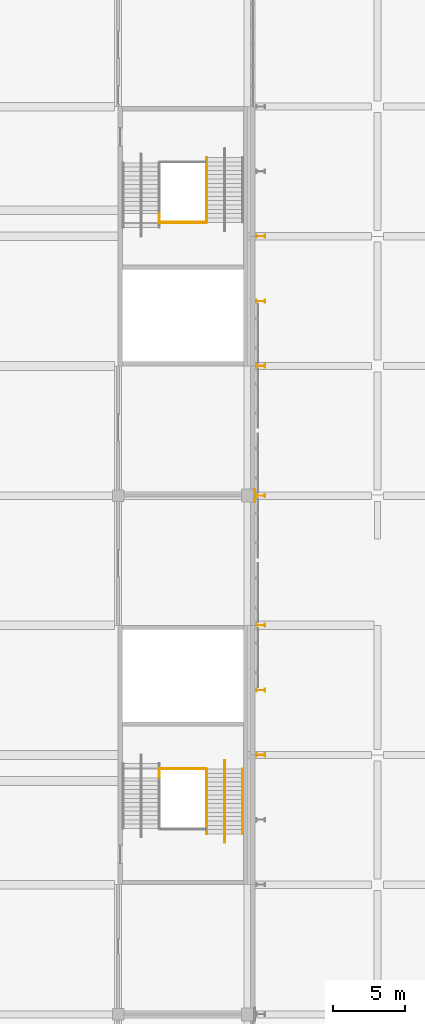
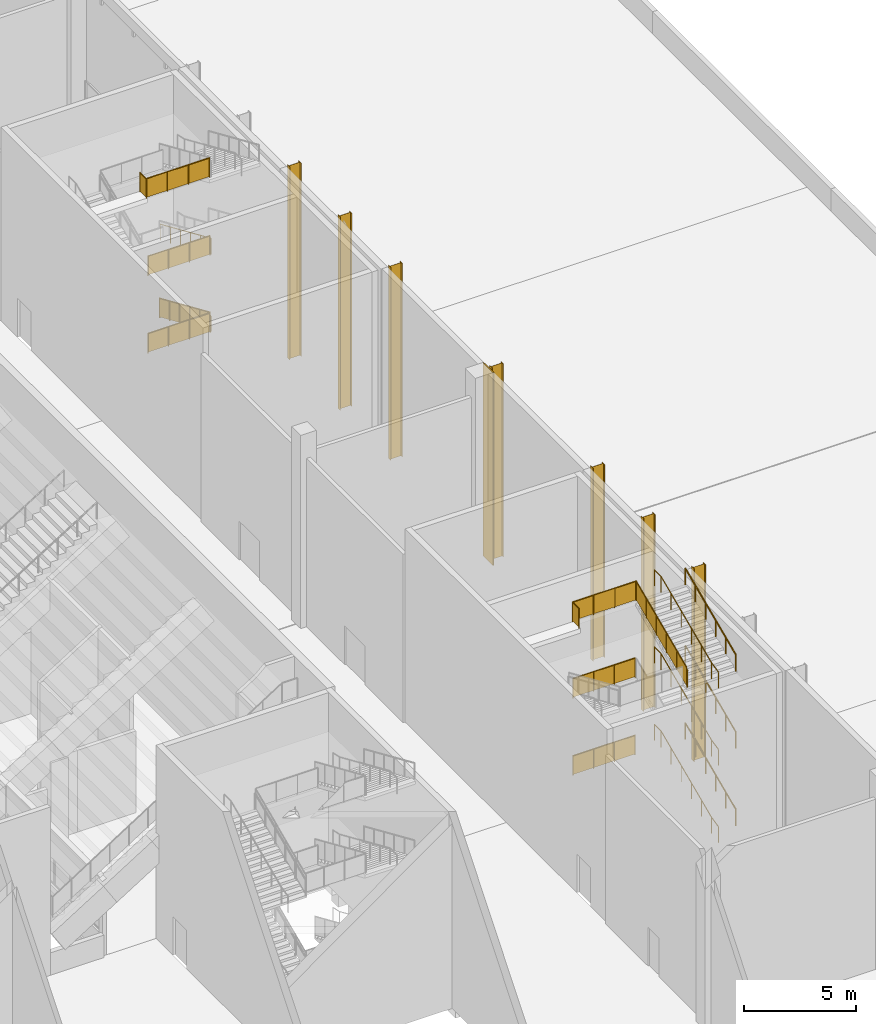
# One storey, part 167 of 182: 17 railings, 7 shading devices, 1 covering.
"""IFC4 building model written with IfcOpenShell, lengths in metres."""

from ifc_helpers import new_model, si_unit, direction, frame, origin, origin_2d, place, context, subcontext, project, spatial, polyline, circle, i_section, outline, extrude, material, layer, layer_set, material_profile, profile_set, type_object, element, save


model = new_model("IFC4")

# Units and contexts
model_context = context("Model", 3, precision=1e-05, world=origin(), true_north=direction((0.0, 1.0)))
body_context = subcontext(model_context, "Body", "Model", "MODEL_VIEW")
ifc_project = project(units=[si_unit("LENGTHUNIT", "METRE"), si_unit("AREAUNIT", "SQUARE_METRE"), si_unit("VOLUMEUNIT", "CUBIC_METRE"), si_unit("PLANEANGLEUNIT", "RADIAN"), si_unit("MASSUNIT", "GRAM", prefix="KILO")], contexts=[model_context])

# Site, building, storey
site_placement = place(None, origin())
site = spatial("IfcSite", under=ifc_project, at=site_placement, CompositionType="ELEMENT")
building_placement = place(site_placement, origin())
building = spatial("IfcBuilding", under=site, at=building_placement, Name="Silverbay Arena", CompositionType="ELEMENT")
storey_placement = place(building_placement, frame((0.0, 0.0, 11.5)))
storey = spatial("IfcBuildingStorey", under=building, at=storey_placement, Name="L02", CompositionType="ELEMENT", Elevation=11.5)

# Covering
ifc_material_1 = material(Name="Aluminium composite cladding", Category="aluminium")
ifc_layer = layer(ifc_material_1, 0.050048828125)
ifc_layer_set = layer_set([ifc_layer], Name="Aluminium composite cladding")
covering_type = type_object("IfcCoveringType", Name="Column cladding 50", PredefinedType="CLADDING", material=ifc_layer_set)
covering_placement = place(storey_placement, origin())
element("IfcCovering", 1, at=covering_placement, inside=storey, type_object=covering_type, Name="East column cladding L02 10", PredefinedType="CLADDING", context=body_context, shape_type="SweptSolid", body=[
    extrude(outline(polyline([(207.449951171875, 80.550048828125), (207.5, 80.550048828125), (207.5, 81.449951171875), (207.449951171875, 81.449951171875), (207.449951171875, 80.550048828125)])), origin(), (0.0, 0.0, 1.0), 10.5),
])

# Railings
ifc_material_2 = material(Name="Stainless steel", Category="steel")
railing_type_1 = type_object("IfcRailingType", Name="Stair guard 1100", PredefinedType="GUARDRAIL", material=ifc_material_2)
railing_1_placement = place(storey_placement, frame((204.125, 57.52587890625, 8.53125)))
element("IfcRailing", 2, at=railing_1_placement, inside=storey, type_object=railing_type_1, Name="Stair ST-E1 L02 to L03 flight 5 guard left", PredefinedType="GUARDRAIL", context=body_context, shape_type="SweptSolid", body=[
    extrude(circle(Radius=0.02392578125, at=origin_2d()), frame((0.0, 0.0, 1.076171875), z_axis=(0.0, 0.916157334902, 0.40081883402), x_axis=(-1.0, 0.0, 0.0)), (0.0, 0.0, 1.0), 4.911865234375),
    extrude(outline(polyline([(-0.008056640625, 0.04638671875), (0.907958984375, 0.447265625), (0.907958984375, 1.4501953125), (-0.008056640625, 1.049560546875), (-0.008056640625, 0.04638671875)])), frame((-0.0029296875, 0.0, 0.0), z_axis=(1.0, 0.0, 0.0), x_axis=(0.0, 1.0, 0.0)), (0.0, 0.0, 1.0), 0.006103515625),
    extrude(outline(polyline([(-0.008056640625, 0.440185546875), (0.907958984375, 0.841064453125), (0.907958984375, 1.843994140625), (-0.008056640625, 1.443359375), (-0.008056640625, 0.440185546875)])), frame((-0.0029296875, 0.89990234375, 0.0), z_axis=(1.0, 0.0, 0.0), x_axis=(0.0, 1.0, 0.0)), (0.0, 0.0, 1.0), 0.006103515625),
    extrude(outline(polyline([(-0.008056640625, 0.833984375), (0.907958984375, 1.23486328125), (0.907958984375, 2.23779296875), (-0.008056640625, 1.8369140625), (-0.008056640625, 0.833984375)])), frame((-0.0029296875, 1.800048828125, 0.0), z_axis=(1.0, 0.0, 0.0), x_axis=(0.0, 1.0, 0.0)), (0.0, 0.0, 1.0), 0.006103515625),
    extrude(outline(polyline([(-0.008056640625, 1.227783203125), (0.907958984375, 1.62841796875), (0.907958984375, 2.631591796875), (-0.008056640625, 2.230712890625), (-0.008056640625, 1.227783203125)])), frame((-0.0029296875, 2.699951171875, 0.0), z_axis=(1.0, 0.0, 0.0), x_axis=(0.0, 1.0, 0.0)), (0.0, 0.0, 1.0), 0.006103515625),
    extrude(outline(polyline([(-0.008056640625, 1.62158203125), (0.907958984375, 2.022216796875), (0.907958984375, 3.025146484375), (-0.008056640625, 2.62451171875), (-0.008056640625, 1.62158203125)])), frame((-0.0029296875, 3.60009765625, 0.0), z_axis=(1.0, 0.0, 0.0), x_axis=(0.0, 1.0, 0.0)), (0.0, 0.0, 1.0), 0.006103515625),
    extrude(circle(Radius=0.02099609375, at=origin_2d()), origin(), (0.0, 0.0, 1.0), 1.052001953125),
    extrude(circle(Radius=0.02099609375, at=origin_2d()), frame((0.0, 0.89990234375, 0.393798828125)), (0.0, 0.0, 1.0), 1.052001953125),
    extrude(circle(Radius=0.02099609375, at=origin_2d()), frame((0.0, 1.800048828125, 0.78759765625)), (0.0, 0.0, 1.0), 1.052001953125),
    extrude(circle(Radius=0.02099609375, at=origin_2d()), frame((0.0, 2.699951171875, 1.18115234375)), (0.0, 0.0, 1.0), 1.052001953125),
    extrude(circle(Radius=0.02099609375, at=origin_2d()), frame((0.0, 3.60009765625, 1.574951171875)), (0.0, 0.0, 1.0), 1.052001953125),
    extrude(circle(Radius=0.02099609375, at=origin_2d()), frame((0.0, 4.5, 1.96875)), (0.0, 0.0, 1.0), 1.052001953125),
])
for number, where, name in (
    (3, (200.89990234375, 62.07568359375, 2.10009765625), "Stair ST-E1 L02 to L03 landing 1 guard"),
    (4, (200.89990234375, 62.07568359375, 6.300048828125), "Stair ST-E1 L02 to L03 landing 3 guard"),
):
    element("IfcRailing", number, at=place(storey_placement, frame(where)), inside=storey, type_object=railing_type_1, Name=name, PredefinedType="GUARDRAIL", context=body_context, shape_type="SweptSolid", body=[
        extrude(circle(Radius=0.02392578125, at=origin_2d()), frame((0.0, 0.0, 1.076171875), z_axis=(1.0, 0.0, 0.0), x_axis=(0.0, 1.0, 0.0)), (0.0, 0.0, 1.0), 3.2001953125),
        extrude(outline(polyline([(-0.008056640625, 0.050048828125), (1.07470703125, 0.050048828125), (1.07470703125, 1.052978515625), (-0.008056640625, 1.052978515625), (-0.008056640625, 0.050048828125)])), frame((0.0, 0.0029296875, 0.0), z_axis=(0.0, -1.0, 0.0), x_axis=(1.0, 0.0, 0.0)), (0.0, 0.0, 1.0), 0.006103515625),
        extrude(outline(polyline([(-0.008056640625, 0.050048828125), (1.07470703125, 0.050048828125), (1.07470703125, 1.052978515625), (-0.008056640625, 1.052978515625), (-0.008056640625, 0.050048828125)])), frame((1.066650390625, 0.0029296875, 0.0), z_axis=(0.0, -1.0, 0.0), x_axis=(1.0, 0.0, 0.0)), (0.0, 0.0, 1.0), 0.006103515625),
        extrude(outline(polyline([(-0.008056640625, 0.050048828125), (1.07470703125, 0.050048828125), (1.07470703125, 1.052978515625), (-0.008056640625, 1.052978515625), (-0.008056640625, 0.050048828125)])), frame((2.133544921875, 0.0029296875, 0.0), z_axis=(0.0, -1.0, 0.0), x_axis=(1.0, 0.0, 0.0)), (0.0, 0.0, 1.0), 0.006103515625),
        extrude(circle(Radius=0.02099609375, at=origin_2d()), origin(), (0.0, 0.0, 1.0), 1.052001953125),
        extrude(circle(Radius=0.02099609375, at=origin_2d()), frame((1.066650390625, 0.0, 0.0)), (0.0, 0.0, 1.0), 1.052001953125),
        extrude(circle(Radius=0.02099609375, at=origin_2d()), frame((2.133544921875, 0.0, 0.0)), (0.0, 0.0, 1.0), 1.052001953125),
        extrude(circle(Radius=0.02099609375, at=origin_2d()), frame((3.2001953125, 0.0, 0.0)), (0.0, 0.0, 1.0), 1.052001953125),
    ])
railing_2_placement = place(storey_placement, frame((200.85009765625, 61.449951171875, 10.5)))
element("IfcRailing", 5, at=railing_2_placement, inside=storey, type_object=railing_type_1, Name="Stair ST-E1 L02 to L03 landing 5 guard", PredefinedType="GUARDRAIL", context=body_context, shape_type="SweptSolid", body=[
    extrude(circle(Radius=0.02392578125, at=origin_2d()), frame((0.0, 0.0, 1.076171875), z_axis=(0.0, 1.0, 0.0), x_axis=(-1.0, 0.0, 0.0)), (0.0, 0.0, 1.0), 0.575927734375),
    extrude(outline(polyline([(-0.008056640625, 0.050048828125), (0.583984375, 0.050048828125), (0.583984375, 1.052978515625), (-0.008056640625, 1.052978515625), (-0.008056640625, 0.050048828125)])), frame((-0.0029296875, 0.0, 0.0), z_axis=(1.0, 0.0, 0.0), x_axis=(0.0, 1.0, 0.0)), (0.0, 0.0, 1.0), 0.006103515625),
    extrude(circle(Radius=0.02392578125, at=origin_2d()), frame((0.0, 0.575927734375, 1.076171875), z_axis=(1.0, 0.0, 0.0), x_axis=(0.0, 1.0, 0.0)), (0.0, 0.0, 1.0), 3.25),
    extrude(outline(polyline([(-0.008056640625, 0.050048828125), (1.09130859375, 0.050048828125), (1.09130859375, 1.052978515625), (-0.008056640625, 1.052978515625), (-0.008056640625, 0.050048828125)])), frame((0.0, 0.578857421875, 0.0), z_axis=(0.0, -1.0, 0.0), x_axis=(1.0, 0.0, 0.0)), (0.0, 0.0, 1.0), 0.006103515625),
    extrude(outline(polyline([(-0.008056640625, 0.050048828125), (1.09130859375, 0.050048828125), (1.09130859375, 1.052978515625), (-0.008056640625, 1.052978515625), (-0.008056640625, 0.050048828125)])), frame((1.083251953125, 0.578857421875, 0.0), z_axis=(0.0, -1.0, 0.0), x_axis=(1.0, 0.0, 0.0)), (0.0, 0.0, 1.0), 0.006103515625),
    extrude(outline(polyline([(-0.008056640625, 0.050048828125), (1.09130859375, 0.050048828125), (1.09130859375, 1.052978515625), (-0.008056640625, 1.052978515625), (-0.008056640625, 0.050048828125)])), frame((2.166748046875, 0.578857421875, 0.0), z_axis=(0.0, -1.0, 0.0), x_axis=(1.0, 0.0, 0.0)), (0.0, 0.0, 1.0), 0.006103515625),
    extrude(circle(Radius=0.02099609375, at=origin_2d()), origin(), (0.0, 0.0, 1.0), 1.052001953125),
    extrude(circle(Radius=0.02099609375, at=origin_2d()), frame((0.0, 0.575927734375, 0.0)), (0.0, 0.0, 1.0), 1.052001953125),
    extrude(circle(Radius=0.02099609375, at=origin_2d()), frame((1.083251953125, 0.575927734375, 0.0)), (0.0, 0.0, 1.0), 1.052001953125),
    extrude(circle(Radius=0.02099609375, at=origin_2d()), frame((2.166748046875, 0.575927734375, 0.0)), (0.0, 0.0, 1.0), 1.052001953125),
    extrude(circle(Radius=0.02099609375, at=origin_2d()), frame((3.25, 0.575927734375, 0.0)), (0.0, 0.0, 1.0), 1.052001953125),
])
railing_3_placement = place(storey_placement, frame((204.125, 104.47412109375, 0.13134765625)))
element("IfcRailing", 6, at=railing_3_placement, inside=storey, type_object=railing_type_1, Name="Stair ST-E2 L02 to L03 flight 1 guard left", PredefinedType="GUARDRAIL", context=body_context, shape_type="SweptSolid", body=[
    extrude(circle(Radius=0.02392578125, at=origin_2d()), frame((0.0, 0.0, 1.076171875), z_axis=(0.0, -0.916157334902, 0.40081883402), x_axis=(1.0, 0.0, 0.0)), (0.0, 0.0, 1.0), 4.911865234375),
    extrude(outline(polyline([(-0.008056640625, 0.04638671875), (0.907958984375, 0.447265625), (0.907958984375, 1.4501953125), (-0.008056640625, 1.049560546875), (-0.008056640625, 0.04638671875)])), frame((0.0029296875, 0.0, 0.0), z_axis=(-1.0, 0.0, 0.0), x_axis=(0.0, -1.0, 0.0)), (0.0, 0.0, 1.0), 0.006103515625),
    extrude(outline(polyline([(-0.008056640625, 0.440185546875), (0.907958984375, 0.841064453125), (0.907958984375, 1.843994140625), (-0.008056640625, 1.443359375), (-0.008056640625, 0.440185546875)])), frame((0.0029296875, -0.89990234375, 0.0), z_axis=(-1.0, 0.0, 0.0), x_axis=(0.0, -1.0, 0.0)), (0.0, 0.0, 1.0), 0.006103515625),
    extrude(outline(polyline([(-0.008056640625, 0.833984375), (0.907958984375, 1.23486328125), (0.907958984375, 2.23779296875), (-0.008056640625, 1.8369140625), (-0.008056640625, 0.833984375)])), frame((0.0029296875, -1.800048828125, 0.0), z_axis=(-1.0, 0.0, 0.0), x_axis=(0.0, -1.0, 0.0)), (0.0, 0.0, 1.0), 0.006103515625),
    extrude(outline(polyline([(-0.008056640625, 1.227783203125), (0.907958984375, 1.62841796875), (0.907958984375, 2.631591796875), (-0.008056640625, 2.230712890625), (-0.008056640625, 1.227783203125)])), frame((0.0029296875, -2.699951171875, 0.0), z_axis=(-1.0, 0.0, 0.0), x_axis=(0.0, -1.0, 0.0)), (0.0, 0.0, 1.0), 0.006103515625),
    extrude(outline(polyline([(-0.008056640625, 1.62158203125), (0.907958984375, 2.022216796875), (0.907958984375, 3.025146484375), (-0.008056640625, 2.62451171875), (-0.008056640625, 1.62158203125)])), frame((0.0029296875, -3.60009765625, 0.0), z_axis=(-1.0, 0.0, 0.0), x_axis=(0.0, -1.0, 0.0)), (0.0, 0.0, 1.0), 0.006103515625),
    extrude(circle(Radius=0.02099609375, at=origin_2d()), origin(), (0.0, 0.0, 1.0), 1.052001953125),
    extrude(circle(Radius=0.02099609375, at=origin_2d()), frame((0.0, -0.89990234375, 0.393798828125)), (0.0, 0.0, 1.0), 1.052001953125),
    extrude(circle(Radius=0.02099609375, at=origin_2d()), frame((0.0, -1.800048828125, 0.78759765625)), (0.0, 0.0, 1.0), 1.052001953125),
    extrude(circle(Radius=0.02099609375, at=origin_2d()), frame((0.0, -2.699951171875, 1.18115234375)), (0.0, 0.0, 1.0), 1.052001953125),
    extrude(circle(Radius=0.02099609375, at=origin_2d()), frame((0.0, -3.60009765625, 1.574951171875)), (0.0, 0.0, 1.0), 1.052001953125),
    extrude(circle(Radius=0.02099609375, at=origin_2d()), frame((0.0, -4.5, 1.96875)), (0.0, 0.0, 1.0), 1.052001953125),
])
for number, where, name in (
    (7, (200.89990234375, 99.92431640625, 2.10009765625), "Stair ST-E2 L02 to L03 landing 1 guard"),
    (8, (200.89990234375, 99.92431640625, 6.300048828125), "Stair ST-E2 L02 to L03 landing 3 guard"),
):
    element("IfcRailing", number, at=place(storey_placement, frame(where)), inside=storey, type_object=railing_type_1, Name=name, PredefinedType="GUARDRAIL", context=body_context, shape_type="SweptSolid", body=[
        extrude(circle(Radius=0.02392578125, at=origin_2d()), frame((0.0, 0.0, 1.076171875), z_axis=(1.0, 0.0, 0.0), x_axis=(0.0, 1.0, 0.0)), (0.0, 0.0, 1.0), 3.2001953125),
        extrude(outline(polyline([(-0.008056640625, 0.050048828125), (1.07470703125, 0.050048828125), (1.07470703125, 1.052978515625), (-0.008056640625, 1.052978515625), (-0.008056640625, 0.050048828125)])), frame((0.0, 0.0029296875, 0.0), z_axis=(0.0, -1.0, 0.0), x_axis=(1.0, 0.0, 0.0)), (0.0, 0.0, 1.0), 0.006103515625),
        extrude(outline(polyline([(-0.008056640625, 0.050048828125), (1.07470703125, 0.050048828125), (1.07470703125, 1.052978515625), (-0.008056640625, 1.052978515625), (-0.008056640625, 0.050048828125)])), frame((1.066650390625, 0.0029296875, 0.0), z_axis=(0.0, -1.0, 0.0), x_axis=(1.0, 0.0, 0.0)), (0.0, 0.0, 1.0), 0.006103515625),
        extrude(outline(polyline([(-0.008056640625, 0.050048828125), (1.07470703125, 0.050048828125), (1.07470703125, 1.052978515625), (-0.008056640625, 1.052978515625), (-0.008056640625, 0.050048828125)])), frame((2.133544921875, 0.0029296875, 0.0), z_axis=(0.0, -1.0, 0.0), x_axis=(1.0, 0.0, 0.0)), (0.0, 0.0, 1.0), 0.006103515625),
        extrude(circle(Radius=0.02099609375, at=origin_2d()), origin(), (0.0, 0.0, 1.0), 1.052001953125),
        extrude(circle(Radius=0.02099609375, at=origin_2d()), frame((1.066650390625, 0.0, 0.0)), (0.0, 0.0, 1.0), 1.052001953125),
        extrude(circle(Radius=0.02099609375, at=origin_2d()), frame((2.133544921875, 0.0, 0.0)), (0.0, 0.0, 1.0), 1.052001953125),
        extrude(circle(Radius=0.02099609375, at=origin_2d()), frame((3.2001953125, 0.0, 0.0)), (0.0, 0.0, 1.0), 1.052001953125),
    ])
railing_4_placement = place(storey_placement, frame((200.85009765625, 100.550048828125, 10.5)))
element("IfcRailing", 9, at=railing_4_placement, inside=storey, type_object=railing_type_1, Name="Stair ST-E2 L02 to L03 landing 5 guard", PredefinedType="GUARDRAIL", context=body_context, shape_type="SweptSolid", body=[
    extrude(circle(Radius=0.02392578125, at=origin_2d()), frame((0.0, 0.0, 1.076171875), z_axis=(0.0, -1.0, 0.0), x_axis=(1.0, 0.0, 0.0)), (0.0, 0.0, 1.0), 0.575927734375),
    extrude(outline(polyline([(-0.008056640625, 0.050048828125), (0.583984375, 0.050048828125), (0.583984375, 1.052978515625), (-0.008056640625, 1.052978515625), (-0.008056640625, 0.050048828125)])), frame((0.0029296875, 0.0, 0.0), z_axis=(-1.0, 0.0, 0.0), x_axis=(0.0, -1.0, 0.0)), (0.0, 0.0, 1.0), 0.006103515625),
    extrude(circle(Radius=0.02392578125, at=origin_2d()), frame((0.0, -0.575927734375, 1.076171875), z_axis=(1.0, 0.0, 0.0), x_axis=(0.0, 1.0, 0.0)), (0.0, 0.0, 1.0), 3.25),
    extrude(outline(polyline([(-0.008056640625, 0.050048828125), (1.09130859375, 0.050048828125), (1.09130859375, 1.052978515625), (-0.008056640625, 1.052978515625), (-0.008056640625, 0.050048828125)])), frame((0.0, -0.572998046875, 0.0), z_axis=(0.0, -1.0, 0.0), x_axis=(1.0, 0.0, 0.0)), (0.0, 0.0, 1.0), 0.006103515625),
    extrude(outline(polyline([(-0.008056640625, 0.050048828125), (1.09130859375, 0.050048828125), (1.09130859375, 1.052978515625), (-0.008056640625, 1.052978515625), (-0.008056640625, 0.050048828125)])), frame((1.083251953125, -0.572998046875, 0.0), z_axis=(0.0, -1.0, 0.0), x_axis=(1.0, 0.0, 0.0)), (0.0, 0.0, 1.0), 0.006103515625),
    extrude(outline(polyline([(-0.008056640625, 0.050048828125), (1.09130859375, 0.050048828125), (1.09130859375, 1.052978515625), (-0.008056640625, 1.052978515625), (-0.008056640625, 0.050048828125)])), frame((2.166748046875, -0.572998046875, 0.0), z_axis=(0.0, -1.0, 0.0), x_axis=(1.0, 0.0, 0.0)), (0.0, 0.0, 1.0), 0.006103515625),
    extrude(circle(Radius=0.02099609375, at=origin_2d()), origin(), (0.0, 0.0, 1.0), 1.052001953125),
    extrude(circle(Radius=0.02099609375, at=origin_2d()), frame((0.0, -0.575927734375, 0.0)), (0.0, 0.0, 1.0), 1.052001953125),
    extrude(circle(Radius=0.02099609375, at=origin_2d()), frame((1.083251953125, -0.575927734375, 0.0)), (0.0, 0.0, 1.0), 1.052001953125),
    extrude(circle(Radius=0.02099609375, at=origin_2d()), frame((2.166748046875, -0.575927734375, 0.0)), (0.0, 0.0, 1.0), 1.052001953125),
    extrude(circle(Radius=0.02099609375, at=origin_2d()), frame((3.25, -0.575927734375, 0.0)), (0.0, 0.0, 1.0), 1.052001953125),
])
ifc_material_3 = material(Name="Stainless steel", Category="steel")
railing_type_2 = type_object("IfcRailingType", Name="Stair handrail 900", PredefinedType="HANDRAIL", material=ifc_material_3)
railing_5_placement = place(storey_placement, frame((206.64990234375, 57.52587890625, 0.13134765625)))
element("IfcRailing", 10, at=railing_5_placement, inside=storey, type_object=railing_type_2, Name="Stair ST-E1 L02 to L03 flight 1 handrail right", PredefinedType="HANDRAIL", context=body_context, shape_type="SweptSolid", body=[
    extrude(circle(Radius=0.02392578125, at=origin_2d()), frame((0.0, 0.0, 0.8759765625), z_axis=(0.0, 0.916157334902, 0.40081883402), x_axis=(-1.0, 0.0, 0.0)), (0.0, 0.0, 1.0), 4.911865234375),
    extrude(circle(Radius=0.02099609375, at=origin_2d()), origin(), (0.0, 0.0, 1.0), 0.851806640625),
    extrude(circle(Radius=0.02099609375, at=origin_2d()), frame((0.0, 0.89990234375, 0.393798828125)), (0.0, 0.0, 1.0), 0.851806640625),
    extrude(circle(Radius=0.02099609375, at=origin_2d()), frame((0.0, 1.800048828125, 0.78759765625)), (0.0, 0.0, 1.0), 0.851806640625),
    extrude(circle(Radius=0.02099609375, at=origin_2d()), frame((0.0, 2.699951171875, 1.18115234375)), (0.0, 0.0, 1.0), 0.851806640625),
    extrude(circle(Radius=0.02099609375, at=origin_2d()), frame((0.0, 3.60009765625, 1.574951171875)), (0.0, 0.0, 1.0), 0.851806640625),
    extrude(circle(Radius=0.02099609375, at=origin_2d()), frame((0.0, 4.5, 1.96875)), (0.0, 0.0, 1.0), 0.851806640625),
])
railing_6_placement = place(storey_placement, frame((205.39990234375, 56.92578125, 0.0)))
element("IfcRailing", 11, at=railing_6_placement, inside=storey, type_object=railing_type_2, Name="Stair ST-E1 L02 to L03 flight 1 central handrail", PredefinedType="HANDRAIL", context=body_context, shape_type="SweptSolid", body=[
    extrude(circle(Radius=0.02392578125, at=origin_2d()), frame((0.0, 0.0, 0.8759765625), z_axis=(0.0, 0.976874083041, 0.213815401414), x_axis=(-1.0, 0.0, 0.0)), (0.0, 0.0, 1.0), 0.6142578125),
    extrude(circle(Radius=0.02392578125, at=origin_2d()), frame((0.0, 0.60009765625, 1.00732421875), z_axis=(0.0, 0.916157334902, 0.40081883402), x_axis=(-1.0, 0.0, 0.0)), (0.0, 0.0, 1.0), 4.911865234375),
    extrude(circle(Radius=0.02392578125, at=origin_2d()), frame((0.0, 5.10009765625, 2.97607421875), z_axis=(0.0, 1.0, 0.0), x_axis=(-1.0, 0.0, 0.0)), (0.0, 0.0, 1.0), 0.599853515625),
    extrude(circle(Radius=0.02099609375, at=origin_2d()), origin(), (0.0, 0.0, 1.0), 0.851806640625),
    extrude(circle(Radius=0.02099609375, at=origin_2d()), frame((0.0, 0.60009765625, 0.13134765625)), (0.0, 0.0, 1.0), 0.851806640625),
    extrude(circle(Radius=0.02099609375, at=origin_2d()), frame((0.0, 1.5, 0.525146484375)), (0.0, 0.0, 1.0), 0.851806640625),
    extrude(circle(Radius=0.02099609375, at=origin_2d()), frame((0.0, 2.400146484375, 0.9189453125)), (0.0, 0.0, 1.0), 0.851806640625),
    extrude(circle(Radius=0.02099609375, at=origin_2d()), frame((0.0, 3.300048828125, 1.3125)), (0.0, 0.0, 1.0), 0.851806640625),
    extrude(circle(Radius=0.02099609375, at=origin_2d()), frame((0.0, 4.2001953125, 1.706298828125)), (0.0, 0.0, 1.0), 0.851806640625),
    extrude(circle(Radius=0.02099609375, at=origin_2d()), frame((0.0, 5.10009765625, 2.10009765625)), (0.0, 0.0, 1.0), 0.851806640625),
    extrude(circle(Radius=0.02099609375, at=origin_2d()), frame((0.0, 5.699951171875, 2.10009765625)), (0.0, 0.0, 1.0), 0.851806640625),
])
railing_7_placement = place(storey_placement, frame((206.64990234375, 57.52587890625, 4.331298828125)))
element("IfcRailing", 12, at=railing_7_placement, inside=storey, type_object=railing_type_2, Name="Stair ST-E1 L02 to L03 flight 3 handrail right", PredefinedType="HANDRAIL", context=body_context, shape_type="SweptSolid", body=[
    extrude(circle(Radius=0.02392578125, at=origin_2d()), frame((0.0, 0.0, 0.8759765625), z_axis=(0.0, 0.916157334902, 0.40081883402), x_axis=(-1.0, 0.0, 0.0)), (0.0, 0.0, 1.0), 4.911865234375),
    extrude(circle(Radius=0.02099609375, at=origin_2d()), origin(), (0.0, 0.0, 1.0), 0.851806640625),
    extrude(circle(Radius=0.02099609375, at=origin_2d()), frame((0.0, 0.89990234375, 0.393798828125)), (0.0, 0.0, 1.0), 0.851806640625),
    extrude(circle(Radius=0.02099609375, at=origin_2d()), frame((0.0, 1.800048828125, 0.78759765625)), (0.0, 0.0, 1.0), 0.851806640625),
    extrude(circle(Radius=0.02099609375, at=origin_2d()), frame((0.0, 2.699951171875, 1.18115234375)), (0.0, 0.0, 1.0), 0.851806640625),
    extrude(circle(Radius=0.02099609375, at=origin_2d()), frame((0.0, 3.60009765625, 1.574951171875)), (0.0, 0.0, 1.0), 0.851806640625),
    extrude(circle(Radius=0.02099609375, at=origin_2d()), frame((0.0, 4.5, 1.96875)), (0.0, 0.0, 1.0), 0.851806640625),
])
railing_8_placement = place(storey_placement, frame((205.39990234375, 56.92578125, 4.199951171875)))
element("IfcRailing", 13, at=railing_8_placement, inside=storey, type_object=railing_type_2, Name="Stair ST-E1 L02 to L03 flight 3 central handrail", PredefinedType="HANDRAIL", context=body_context, shape_type="SweptSolid", body=[
    extrude(circle(Radius=0.02392578125, at=origin_2d()), frame((0.0, 0.0, 0.8759765625), z_axis=(0.0, 0.976874083041, 0.213815401414), x_axis=(-1.0, 0.0, 0.0)), (0.0, 0.0, 1.0), 0.6142578125),
    extrude(circle(Radius=0.02392578125, at=origin_2d()), frame((0.0, 0.60009765625, 1.00732421875), z_axis=(0.0, 0.916157334902, 0.40081883402), x_axis=(-1.0, 0.0, 0.0)), (0.0, 0.0, 1.0), 4.911865234375),
    extrude(circle(Radius=0.02392578125, at=origin_2d()), frame((0.0, 5.10009765625, 2.97607421875), z_axis=(0.0, 1.0, 0.0), x_axis=(-1.0, 0.0, 0.0)), (0.0, 0.0, 1.0), 0.599853515625),
    extrude(circle(Radius=0.02099609375, at=origin_2d()), origin(), (0.0, 0.0, 1.0), 0.851806640625),
    extrude(circle(Radius=0.02099609375, at=origin_2d()), frame((0.0, 0.60009765625, 0.13134765625)), (0.0, 0.0, 1.0), 0.851806640625),
    extrude(circle(Radius=0.02099609375, at=origin_2d()), frame((0.0, 1.5, 0.525146484375)), (0.0, 0.0, 1.0), 0.851806640625),
    extrude(circle(Radius=0.02099609375, at=origin_2d()), frame((0.0, 2.400146484375, 0.9189453125)), (0.0, 0.0, 1.0), 0.851806640625),
    extrude(circle(Radius=0.02099609375, at=origin_2d()), frame((0.0, 3.300048828125, 1.3125)), (0.0, 0.0, 1.0), 0.851806640625),
    extrude(circle(Radius=0.02099609375, at=origin_2d()), frame((0.0, 4.2001953125, 1.706298828125)), (0.0, 0.0, 1.0), 0.851806640625),
    extrude(circle(Radius=0.02099609375, at=origin_2d()), frame((0.0, 5.10009765625, 2.10009765625)), (0.0, 0.0, 1.0), 0.851806640625),
    extrude(circle(Radius=0.02099609375, at=origin_2d()), frame((0.0, 5.699951171875, 2.10009765625)), (0.0, 0.0, 1.0), 0.851806640625),
])
for number, where, name in (
    (14, (204.1640625, 57.52587890625, 8.53125), "Stair ST-E1 L02 to L03 flight 5 handrail left"),
    (15, (206.64990234375, 57.52587890625, 8.53125), "Stair ST-E1 L02 to L03 flight 5 handrail right"),
):
    element("IfcRailing", number, at=place(storey_placement, frame(where)), inside=storey, type_object=railing_type_2, Name=name, PredefinedType="HANDRAIL", context=body_context, shape_type="SweptSolid", body=[
        extrude(circle(Radius=0.02392578125, at=origin_2d()), frame((0.0, 0.0, 0.8759765625), z_axis=(0.0, 0.916157334902, 0.40081883402), x_axis=(-1.0, 0.0, 0.0)), (0.0, 0.0, 1.0), 4.911865234375),
        extrude(circle(Radius=0.02099609375, at=origin_2d()), origin(), (0.0, 0.0, 1.0), 0.851806640625),
        extrude(circle(Radius=0.02099609375, at=origin_2d()), frame((0.0, 0.89990234375, 0.393798828125)), (0.0, 0.0, 1.0), 0.851806640625),
        extrude(circle(Radius=0.02099609375, at=origin_2d()), frame((0.0, 1.800048828125, 0.78759765625)), (0.0, 0.0, 1.0), 0.851806640625),
        extrude(circle(Radius=0.02099609375, at=origin_2d()), frame((0.0, 2.699951171875, 1.18115234375)), (0.0, 0.0, 1.0), 0.851806640625),
        extrude(circle(Radius=0.02099609375, at=origin_2d()), frame((0.0, 3.60009765625, 1.574951171875)), (0.0, 0.0, 1.0), 0.851806640625),
        extrude(circle(Radius=0.02099609375, at=origin_2d()), frame((0.0, 4.5, 1.96875)), (0.0, 0.0, 1.0), 0.851806640625),
    ])
railing_9_placement = place(storey_placement, frame((205.39990234375, 56.92578125, 8.39990234375)))
element("IfcRailing", 16, at=railing_9_placement, inside=storey, type_object=railing_type_2, Name="Stair ST-E1 L02 to L03 flight 5 central handrail", PredefinedType="HANDRAIL", context=body_context, shape_type="SweptSolid", body=[
    extrude(circle(Radius=0.02392578125, at=origin_2d()), frame((0.0, 0.0, 0.8759765625), z_axis=(0.0, 0.976874083041, 0.213815401414), x_axis=(-1.0, 0.0, 0.0)), (0.0, 0.0, 1.0), 0.6142578125),
    extrude(circle(Radius=0.02392578125, at=origin_2d()), frame((0.0, 0.60009765625, 1.00732421875), z_axis=(0.0, 0.916157334902, 0.40081883402), x_axis=(-1.0, 0.0, 0.0)), (0.0, 0.0, 1.0), 4.911865234375),
    extrude(circle(Radius=0.02392578125, at=origin_2d()), frame((0.0, 5.10009765625, 2.97607421875), z_axis=(0.0, 1.0, 0.0), x_axis=(-1.0, 0.0, 0.0)), (0.0, 0.0, 1.0), 0.599853515625),
    extrude(circle(Radius=0.02099609375, at=origin_2d()), origin(), (0.0, 0.0, 1.0), 0.851806640625),
    extrude(circle(Radius=0.02099609375, at=origin_2d()), frame((0.0, 0.60009765625, 0.13134765625)), (0.0, 0.0, 1.0), 0.851806640625),
    extrude(circle(Radius=0.02099609375, at=origin_2d()), frame((0.0, 1.5, 0.525146484375)), (0.0, 0.0, 1.0), 0.851806640625),
    extrude(circle(Radius=0.02099609375, at=origin_2d()), frame((0.0, 2.400146484375, 0.9189453125)), (0.0, 0.0, 1.0), 0.851806640625),
    extrude(circle(Radius=0.02099609375, at=origin_2d()), frame((0.0, 3.300048828125, 1.3125)), (0.0, 0.0, 1.0), 0.851806640625),
    extrude(circle(Radius=0.02099609375, at=origin_2d()), frame((0.0, 4.2001953125, 1.706298828125)), (0.0, 0.0, 1.0), 0.851806640625),
    extrude(circle(Radius=0.02099609375, at=origin_2d()), frame((0.0, 5.10009765625, 2.10009765625)), (0.0, 0.0, 1.0), 0.851806640625),
    extrude(circle(Radius=0.02099609375, at=origin_2d()), frame((0.0, 5.699951171875, 2.10009765625)), (0.0, 0.0, 1.0), 0.851806640625),
])
for number, where, name in (
    (17, (204.1640625, 104.47412109375, 0.13134765625), "Stair ST-E2 L02 to L03 flight 1 handrail left"),
    (18, (204.1640625, 104.47412109375, 4.331298828125), "Stair ST-E2 L02 to L03 flight 3 handrail left"),
):
    element("IfcRailing", number, at=place(storey_placement, frame(where)), inside=storey, type_object=railing_type_2, Name=name, PredefinedType="HANDRAIL", context=body_context, shape_type="SweptSolid", body=[
        extrude(circle(Radius=0.02392578125, at=origin_2d()), frame((0.0, 0.0, 0.8759765625), z_axis=(0.0, -0.916157334902, 0.40081883402), x_axis=(1.0, 0.0, 0.0)), (0.0, 0.0, 1.0), 4.911865234375),
        extrude(circle(Radius=0.02099609375, at=origin_2d()), origin(), (0.0, 0.0, 1.0), 0.851806640625),
        extrude(circle(Radius=0.02099609375, at=origin_2d()), frame((0.0, -0.89990234375, 0.393798828125)), (0.0, 0.0, 1.0), 0.851806640625),
        extrude(circle(Radius=0.02099609375, at=origin_2d()), frame((0.0, -1.800048828125, 0.78759765625)), (0.0, 0.0, 1.0), 0.851806640625),
        extrude(circle(Radius=0.02099609375, at=origin_2d()), frame((0.0, -2.699951171875, 1.18115234375)), (0.0, 0.0, 1.0), 0.851806640625),
        extrude(circle(Radius=0.02099609375, at=origin_2d()), frame((0.0, -3.60009765625, 1.574951171875)), (0.0, 0.0, 1.0), 0.851806640625),
        extrude(circle(Radius=0.02099609375, at=origin_2d()), frame((0.0, -4.5, 1.96875)), (0.0, 0.0, 1.0), 0.851806640625),
    ])

# Shading devices
ifc_material_4 = material(Name="Steel S355", Category="steel")
ifc_material_profile = material_profile(ifc_material_4, i_section(OverallWidth=0.2275390625, OverallDepth=0.6025390625, WebThickness=0.010498046875, FlangeThickness=0.014892578125, at=origin_2d()), Name="UB 610x229x101")
ifc_profile_set = profile_set([ifc_material_profile], Name="Steel S355")
shading_device_type = type_object("IfcShadingDeviceType", Name="Steel fin UB 610x229x101", PredefinedType="USERDEFINED", material=ifc_profile_set)
for number, where, z_axis, x_axis, name in (
    (19, (207.9013671875, 63.0, 0.0), (0.0, 0.0, 1.0), (0.0, 1.0, 0.0), "Steel fin E L02 10"),
    (20, (207.9013671875, 67.5, 0.0), (0.0, 0.0, 1.0), (0.0, 1.0, 0.0), "Steel fin E L02 11"),
    (21, (207.9013671875, 72.0, 0.0), (0.0, 0.0, 1.0), (0.0, 1.0, 0.0), "Steel fin E L02 12"),
    (22, (207.9013671875, 81.0, 0.0), (0.0, 0.0, 1.0), (0.0, 1.0, 0.0), "Steel fin E L02 14"),
    (23, (207.9013671875, 90.0, 0.0), (0.0, 0.0, 1.0), (0.0, 1.0, 0.0), "Steel fin E L02 16"),
    (24, (207.9013671875, 94.5, 0.0), (0.0, 0.0, 1.0), (0.0, 1.0, 0.0), "Steel fin E L02 17"),
    (25, (207.9013671875, 99.0, 0.0), (0.0, 0.0, 1.0), (0.0, 1.0, 0.0), "Steel fin E L02 18"),
):
    element("IfcShadingDevice", number, at=place(storey_placement, frame(where, z_axis=z_axis, x_axis=x_axis)), inside=storey, type_object=shading_device_type, Name=name, ObjectType="FIN", PredefinedType="USERDEFINED", context=body_context, shape_type="SweptSolid", body=[
        extrude(i_section(OverallWidth=0.2275390625, OverallDepth=0.6025390625, WebThickness=0.010498046875, FlangeThickness=0.014892578125, at=origin_2d()), origin(), (0.0, 0.0, 1.0), 10.5),
    ])

save(model, "model.ifc")
